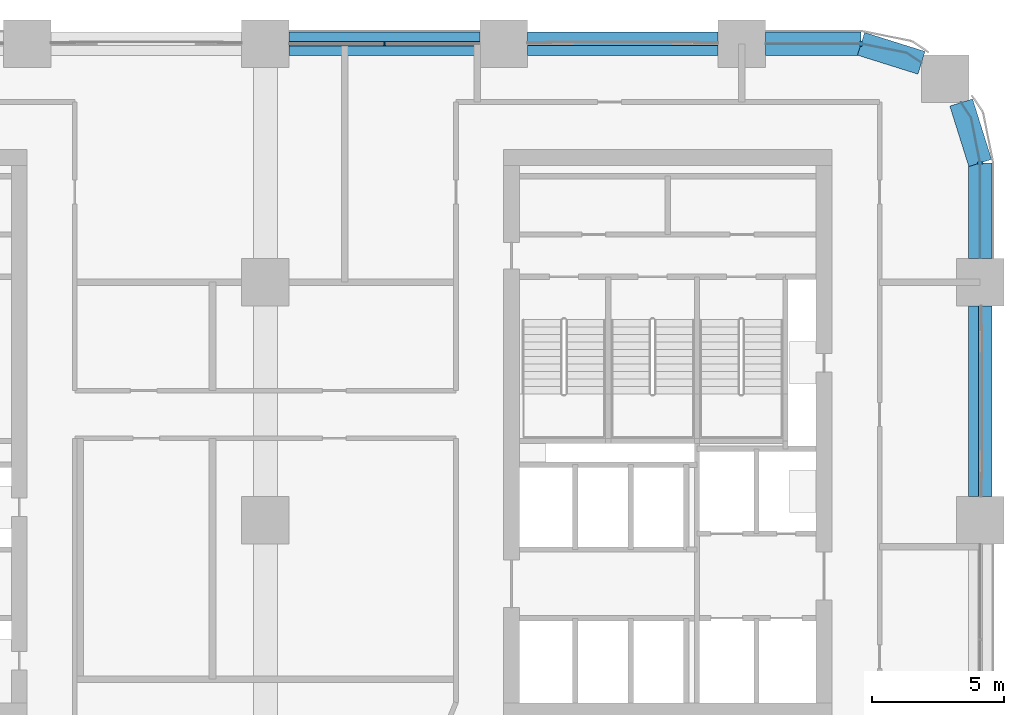
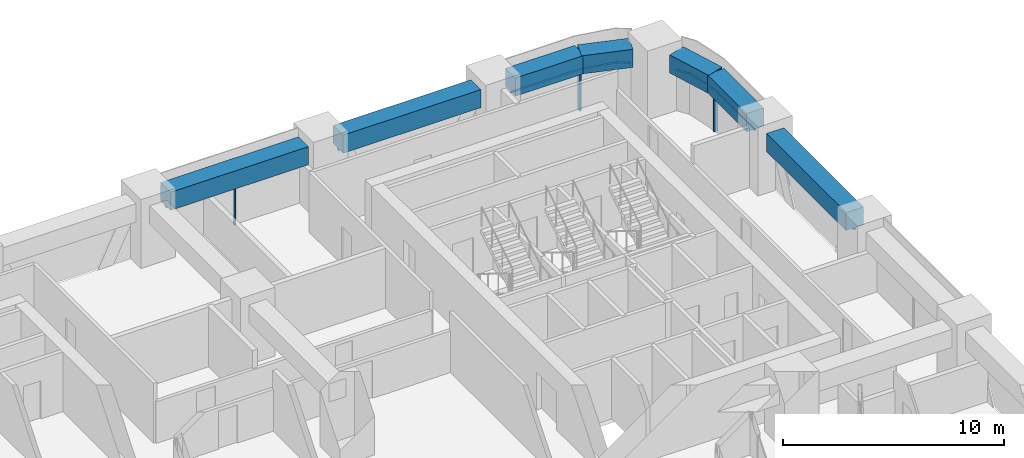
# One storey, part 9 of 20: 8 members, 7 beams, 5 elements without a shape of their own.
"""IFC4 building model written with IfcOpenShell, lengths in metres."""

import ifcopenshell
import ifcopenshell.guid

model = None  # the IFC model being written
_history = None  # IfcOwnerHistory: only IFC2X3 demands one
_inside = {}  # id of a spatial element -> (the spatial element, [elements in it])
_under = {}  # id of a project, library or spatial element -> (it, [spatial elements below it])
_declared = {}  # id of a project -> (the project, [libraries it declares])
_typed = {}  # id of a type object -> (the type object, [elements of that type])
_made_of = {}  # id of a material, layer set ... -> (it, [elements and type objects made of it])


def new_model(schema):
    """Start an empty IFC model of exactly this schema.

    Asked for "IFC4X3", IfcOpenShell would pick the latest addendum, in which some entities
    have other attributes; the version numbers below select the first issue.
    IFC2X3 requires an IfcOwnerHistory on every rooted entity: one is made here for all.
    """
    global model, _history
    if schema == "IFC4X3":
        model = ifcopenshell.file(schema_version=(4, 3, 0, 0))
    else:
        model = ifcopenshell.file(schema=schema)
    _inside.clear()
    _under.clear()
    _declared.clear()
    _typed.clear()
    _made_of.clear()
    _history = None
    if model.schema == "IFC2X3":
        org = make("IfcOrganization", Name="unknown")
        user = make(
            "IfcPersonAndOrganization",
            ThePerson=make("IfcPerson", FamilyName="unknown"),
            TheOrganization=org,
        )
        app = make(
            "IfcApplication",
            ApplicationDeveloper=org,
            Version="unknown",
            ApplicationFullName="unknown",
            ApplicationIdentifier="unknown",
        )
        _history = make(
            "IfcOwnerHistory",
            OwningUser=user,
            OwningApplication=app,
            ChangeAction="ADDED",
            CreationDate=0,
        )
    return model


def make(cls, **values):
    """One entity of the class cls with the attributes given. An attribute that is None is left unset."""
    return model.create_entity(
        cls, **{name: value for name, value in values.items() if value is not None}
    )


def rooted(cls, **values):
    """An entity with a GlobalId (a new one), such as an element, a storey or a relation."""
    return make(cls, GlobalId=ifcopenshell.guid.new(), OwnerHistory=_history, **values)


def si_unit(unit_type, name, prefix=None):
    """IfcSIUnit, for example si_unit("LENGTHUNIT", "METRE", prefix="MILLI")."""
    return make("IfcSIUnit", UnitType=unit_type, Prefix=prefix, Name=name)


def assignment(units):
    """IfcUnitAssignment: the units of a project."""
    return None if units is None else make("IfcUnitAssignment", Units=units)


def point(xyz):
    """IfcCartesianPoint."""
    return None if xyz is None else make("IfcCartesianPoint", Coordinates=xyz)


def direction(xyz):
    """IfcDirection."""
    return None if xyz is None else make("IfcDirection", DirectionRatios=xyz)


def frame(location, z_axis=None, x_axis=None):
    """IfcAxis2Placement3D, a coordinate frame: its origin and axes. An axis left out is left unset."""
    return make(
        "IfcAxis2Placement3D",
        Location=point(location),
        Axis=direction(z_axis),
        RefDirection=direction(x_axis),
    )


def frame_2d(location, x_axis=None):
    """IfcAxis2Placement2D, a coordinate frame in the plane: its origin and x axis."""
    return make(
        "IfcAxis2Placement2D", Location=point(location), RefDirection=direction(x_axis)
    )


def origin():
    """The frame at (0, 0, 0) with its axes left unset."""
    return frame((0.0, 0.0, 0.0))


def origin_2d():
    """The frame at (0, 0) in the plane with its x axis left unset."""
    return frame_2d((0.0, 0.0))


def place(relative_to, where):
    """IfcLocalPlacement: puts the frame where relative to a parent placement (None: the world)."""
    return make(
        "IfcLocalPlacement", PlacementRelTo=relative_to, RelativePlacement=where
    )


def context(
    kind, dimensions, precision=None, world=None, true_north=None, identifier=None
):
    """IfcGeometricRepresentationContext, for example the 3D "Model" context."""
    return make(
        "IfcGeometricRepresentationContext",
        ContextIdentifier=identifier,
        ContextType=kind,
        CoordinateSpaceDimension=dimensions,
        Precision=precision,
        WorldCoordinateSystem=world,
        TrueNorth=true_north,
    )


def subcontext(parent, identifier, kind, view, scale=None):
    """IfcGeometricRepresentationSubContext, for example "Body" below "Model"."""
    return make(
        "IfcGeometricRepresentationSubContext",
        ContextIdentifier=identifier,
        ContextType=kind,
        ParentContext=parent,
        TargetScale=scale,
        TargetView=view,
    )


def project(units=None, contexts=None):
    """IfcProject with its units and contexts."""
    return rooted(
        "IfcProject",
        Name="project",
        RepresentationContexts=contexts,
        UnitsInContext=assignment(units),
    )


def spatial(cls, under=None, at=None, **own):
    """A site, building, storey or space (cls), placed at a placement, below another one or the project."""
    s = rooted(cls, ObjectPlacement=at, **own)
    if under is not None:
        _under.setdefault(under.id(), (under, []))[1].append(s)
    return s


def polyline(points):
    """IfcPolyline through the points."""
    return make("IfcPolyline", Points=[point(p) for p in points])


def profile(cls, at=None, kind="AREA", **sizes):
    """A parametric profile (cls). Its sizes go by their IFC names, for example OverallWidth=200.0."""
    return make(cls, ProfileType=kind, Position=at, **sizes)


def rectangle(**sizes):
    """IfcRectangleProfileDef."""
    return profile("IfcRectangleProfileDef", **sizes)


def outline(outer, holes=None, kind="AREA"):
    """IfcArbitraryClosedProfileDef: a profile drawn as a closed curve; with holes, ...WithVoids."""
    if holes is None:
        return make("IfcArbitraryClosedProfileDef", ProfileType=kind, OuterCurve=outer)
    return make(
        "IfcArbitraryProfileDefWithVoids",
        ProfileType=kind,
        OuterCurve=outer,
        InnerCurves=holes,
    )


def extrude(swept, where, along, depth):
    """IfcExtrudedAreaSolid: the profile swept, set in the frame where, extruded along a direction by depth."""
    return make(
        "IfcExtrudedAreaSolid",
        SweptArea=swept,
        Position=where,
        ExtrudedDirection=direction(along),
        Depth=depth,
    )


def shape(context_of_items, identifier, shape_type, items):
    """IfcShapeRepresentation: the items that make up one representation, for example the "Body"."""
    return make(
        "IfcShapeRepresentation",
        ContextOfItems=context_of_items,
        RepresentationIdentifier=identifier,
        RepresentationType=shape_type,
        Items=items,
    )


def material(Name=None, Category=None):
    """IfcMaterial."""
    return make("IfcMaterial", Name=Name, Category=Category)


def material_profile(
    of_material, cross_section, Name=None, Category=None, Priority=None
):
    """IfcMaterialProfile: a cross section and its material."""
    return make(
        "IfcMaterialProfile",
        Name=Name,
        Material=of_material,
        Profile=cross_section,
        Priority=Priority,
        Category=Category,
    )


def profile_set(profiles, Name=None, composite=None):
    """IfcMaterialProfileSet."""
    return make(
        "IfcMaterialProfileSet",
        Name=Name,
        MaterialProfiles=profiles,
        CompositeProfile=composite,
    )


def made_of(thing, what):
    """Note that an element or type object is made of a material, layer set ...; save() writes the relation."""
    if what is not None:
        _made_of.setdefault(what.id(), (what, []))[1].append(thing)
    return thing


def type_object(cls, material=None, **own):
    """A type object (cls), such as IfcWallType, which elements share."""
    return made_of(rooted(cls, **own), material)


def element(
    cls,
    number,
    at=None,
    inside=None,
    cuts=None,
    type_object=None,
    material=None,
    context=None,
    identifier="Body",
    shape_type=None,
    held_by="IfcProductDefinitionShape",
    body=None,
    shapes=None,
    **own,
):
    """One element of the class cls, such as IfcWall. Its Tag is "e" and its number.

    at: its placement. inside: the storey or other place that contains it. cuts: it is an
    opening in that element (IfcRelVoidsElement). A single representation is given by context,
    identifier, shape_type and body (its items); several are given by shapes. held_by: the class
    of the entity that holds the representations. save() writes the other relations.
    """
    e = rooted(cls, Tag="e%d" % number, ObjectPlacement=at, **own)
    if body is not None:
        shapes = [shape(context, identifier, shape_type, body)]
    if shapes is not None:
        e.Representation = make(held_by, Representations=shapes)
    if inside is not None:
        _inside.setdefault(inside.id(), (inside, []))[1].append(e)
    if cuts is not None:
        rooted(
            "IfcRelVoidsElement", RelatingBuildingElement=cuts, RelatedOpeningElement=e
        )
    if type_object is not None:
        _typed.setdefault(type_object.id(), (type_object, []))[1].append(e)
    return made_of(e, material)


def aggregate(whole, parts):
    """IfcRelAggregates: a whole, such as a stair, and the parts it consists of."""
    return rooted("IfcRelAggregates", RelatingObject=whole, RelatedObjects=parts)


def save(model, path):
    """Write the relations noted so far, then the file.

    IfcRelAggregates (storeys below a building ...), IfcRelContainedInSpatialStructure (elements
    in a storey), IfcRelDefinesByType, IfcRelAssociatesMaterial and IfcRelDeclares: one each for
    every whole, place, type object, material and project.
    """
    for whole, parts in _under.values():
        aggregate(whole, parts)
    for where, things in _inside.values():
        rooted(
            "IfcRelContainedInSpatialStructure",
            RelatedElements=things,
            RelatingStructure=where,
        )
    for kind, things in _typed.values():
        rooted("IfcRelDefinesByType", RelatedObjects=things, RelatingType=kind)
    for what, things in _made_of.values():
        rooted("IfcRelAssociatesMaterial", RelatedObjects=things, RelatingMaterial=what)
    for by, libraries in _declared.values():
        rooted("IfcRelDeclares", RelatingContext=by, RelatedDefinitions=libraries)
    model.write(path)


model = new_model("IFC4")

# Units and contexts
model_context = context("Model", 3, precision=1e-05, world=origin(), true_north=direction((0.0, 1.0)))
body_context = subcontext(model_context, "Body", "Model", "MODEL_VIEW")
ifc_project = project(units=[si_unit("LENGTHUNIT", "METRE"), si_unit("AREAUNIT", "SQUARE_METRE"), si_unit("VOLUMEUNIT", "CUBIC_METRE"), si_unit("PLANEANGLEUNIT", "RADIAN"), si_unit("MASSUNIT", "GRAM", prefix="KILO")], contexts=[model_context])

# Site, building, storey
site_placement = place(None, origin())
site = spatial("IfcSite", under=ifc_project, at=site_placement, CompositionType="ELEMENT")
building_placement = place(site_placement, origin())
building = spatial("IfcBuilding", under=site, at=building_placement, Name="Tessera Arch", CompositionType="ELEMENT")
storey_placement = place(building_placement, frame((0.0, 0.0, 119.60009765625)))
storey = spatial("IfcBuildingStorey", under=building, at=storey_placement, Name="L28", CompositionType="ELEMENT", Elevation=119.60009765625)

# Curtain wall, members
ifc_material_1 = material(Name="CW1 curtain wall")
curtain_wall_type_1 = type_object("IfcCurtainWallType", Name="CW1 curtain wall", PredefinedType="NOTDEFINED", material=ifc_material_1)
curtain_wall_1_placement = place(storey_placement, origin())
curtain_wall_1 = element("IfcCurtainWall", 1, at=curtain_wall_1_placement, inside=storey, type_object=curtain_wall_type_1, Name="CW1 curtain wall N54.0/1 L28", PredefinedType="NOTDEFINED")
ifc_material_2 = material(Name="Anodised aluminium pale metal", Category="aluminium")
ifc_material_profile_1 = material_profile(ifc_material_2, rectangle(XDim=0.159912109375, YDim=0.06005859375, at=origin_2d()), Name="AL 60x160")
ifc_profile_set_1 = profile_set([ifc_material_profile_1], Name="Anodised aluminium pale metal")
member_type_1 = type_object("IfcMemberType", Name="CW1 mullion", PredefinedType="MULLION", material=ifc_profile_set_1)
member_1_placement = place(storey_placement, frame((31.5, 54.0, 0.0), z_axis=(0.0, 0.0, 1.0), x_axis=(0.0, -1.0, 0.0)))
member_1 = element("IfcMember", 2, at=member_1_placement, type_object=member_type_1, Name="CW1 mullion N54.0/1 1", PredefinedType="MULLION", context=body_context, shape_type="SweptSolid", body=[
    extrude(rectangle(XDim=0.159912109375, YDim=0.06005859375, at=origin_2d()), origin(), (0.0, 0.0, 1.0), 2.199951171875),
])
ifc_material_3 = material(Name="Anodised aluminium pale metal", Category="aluminium")
ifc_material_profile_2 = material_profile(ifc_material_3, rectangle(XDim=0.159912109375, YDim=0.10009765625, at=origin_2d()), Name="AL 160x100")
ifc_profile_set_2 = profile_set([ifc_material_profile_2], Name="Anodised aluminium pale metal")
member_type_2 = type_object("IfcMemberType", Name="CW1 transom", PredefinedType="USERDEFINED", material=ifc_profile_set_2)
member_2_placement = place(storey_placement, frame((35.10009765625, 54.0, 2.25), z_axis=(-1.0, 0.0, 0.0), x_axis=(0.0, -1.0, 0.0)))
member_2 = element("IfcMember", 3, at=member_2_placement, type_object=member_type_2, Name="CW1 transom N54.0/1 1.1", ObjectType="TRANSOM", PredefinedType="USERDEFINED", context=body_context, shape_type="SweptSolid", body=[
    extrude(rectangle(XDim=0.159912109375, YDim=0.10009765625, at=origin_2d()), origin(), (0.0, 0.0, 1.0), 7.2001953125),
])
aggregate(curtain_wall_1, [member_1, member_2])

# Curtain wall, member
ifc_material_4 = material(Name="CW2 curtain wall")
curtain_wall_type_2 = type_object("IfcCurtainWallType", Name="CW2 curtain wall", PredefinedType="NOTDEFINED", material=ifc_material_4)
curtain_wall_2_placement = place(storey_placement, origin())
curtain_wall_2 = element("IfcCurtainWall", 4, at=curtain_wall_2_placement, inside=storey, type_object=curtain_wall_type_2, Name="CW2 curtain wall E54.0/5 L28", PredefinedType="NOTDEFINED")
ifc_material_5 = material(Name="Anodised aluminium pale metal", Category="aluminium")
ifc_material_profile_3 = material_profile(ifc_material_5, rectangle(XDim=0.199951171875, YDim=0.080078125, at=origin_2d()), Name="AL 80x200")
ifc_profile_set_3 = profile_set([ifc_material_profile_3], Name="Anodised aluminium pale metal")
member_type_3 = type_object("IfcMemberType", Name="CW2 mullion", PredefinedType="MULLION", material=ifc_profile_set_3)
member_3_placement = place(storey_placement, frame((54.0, 49.5, 0.0), z_axis=(0.0, 0.0, 1.0), x_axis=(-1.0, 0.0, 0.0)))
member_3 = element("IfcMember", 5, at=member_3_placement, type_object=member_type_3, Name="CW2 mullion E54.0/5 1", PredefinedType="MULLION", context=body_context, shape_type="SweptSolid", body=[
    extrude(rectangle(XDim=0.199951171875, YDim=0.080078125, at=origin_2d()), origin(), (0.0, 0.0, 1.0), 2.199951171875),
])

curtain_wall_3_placement = place(storey_placement, origin())
curtain_wall_3 = element("IfcCurtainWall", 6, at=curtain_wall_3_placement, inside=storey, type_object=curtain_wall_type_2, Name="CW2 curtain wall N54.0/5 L28", PredefinedType="NOTDEFINED")
member_4_placement = place(storey_placement, frame((49.5, 54.0, 0.0), z_axis=(0.0, 0.0, 1.0), x_axis=(0.0, -1.0, 0.0)))
member_4 = element("IfcMember", 7, at=member_4_placement, type_object=member_type_3, Name="CW2 mullion N54.0/5 1", PredefinedType="MULLION", context=body_context, shape_type="SweptSolid", body=[
    extrude(rectangle(XDim=0.199951171875, YDim=0.080078125, at=origin_2d()), origin(), (0.0, 0.0, 1.0), 2.199951171875),
])

# Member
ifc_material_6 = material(Name="Anodised aluminium pale metal", Category="aluminium")
ifc_material_profile_4 = material_profile(ifc_material_6, rectangle(XDim=0.199951171875, YDim=0.10009765625, at=origin_2d()), Name="AL 200x100")
ifc_profile_set_4 = profile_set([ifc_material_profile_4], Name="Anodised aluminium pale metal")
member_type_4 = type_object("IfcMemberType", Name="CW2 transom", PredefinedType="USERDEFINED", material=ifc_profile_set_4)
member_5_placement = place(storey_placement, frame((0.0, 0.0, 2.199951171875)))
member_5 = element("IfcMember", 8, at=member_5_placement, type_object=member_type_4, Name="CW2 transom E54.0/5 1", ObjectType="TRANSOM", PredefinedType="USERDEFINED", context=body_context, shape_type="SweptSolid", body=[
    extrude(outline(polyline([(53.989990234375, 49.4990234375), (53.989990234375, 45.89990234375), (54.010009765625, 45.89990234375), (54.010009765625, 49.5009765625), (53.6669921875, 51.22607421875), (53.29150390625, 51.78759765625), (53.27490234375, 51.7763671875), (53.648193359375, 51.21826171875), (53.989990234375, 49.4990234375)])), origin(), (0.0, 0.0, 1.0), 0.099853515625),
])

aggregate(curtain_wall_2, [member_3, member_5])

member_6_placement = place(storey_placement, frame((0.0, 0.0, 2.199951171875)))
member_6 = element("IfcMember", 9, at=member_6_placement, type_object=member_type_4, Name="CW2 transom N54.0/5 1", ObjectType="TRANSOM", PredefinedType="USERDEFINED", context=body_context, shape_type="SweptSolid", body=[
    extrude(outline(polyline([(51.21826171875, 53.648193359375), (51.7763671875, 53.27490234375), (51.78759765625, 53.29150390625), (51.22607421875, 53.6669921875), (49.5009765625, 54.010009765625), (45.89990234375, 54.010009765625), (45.89990234375, 53.989990234375), (49.4990234375, 53.989990234375), (51.21826171875, 53.648193359375)])), origin(), (0.0, 0.0, 1.0), 0.099853515625),
])

aggregate(curtain_wall_3, [member_4, member_6])

# Curtain wall, member
ifc_material_7 = material(Name="CW3 curtain wall")
curtain_wall_type_3 = type_object("IfcCurtainWallType", Name="CW3 curtain wall", PredefinedType="NOTDEFINED", material=ifc_material_7)
curtain_wall_4_placement = place(storey_placement, origin())
curtain_wall_4 = element("IfcCurtainWall", 10, at=curtain_wall_4_placement, inside=storey, type_object=curtain_wall_type_3, Name="CW3 curtain wall N54.0/0 L28", PredefinedType="NOTDEFINED")
ifc_material_8 = material(Name="Anodised aluminium pale metal", Category="aluminium")
ifc_material_profile_5 = material_profile(ifc_material_8, rectangle(XDim=0.139892578125, YDim=0.10009765625, at=origin_2d()), Name="AL 140x100")
ifc_profile_set_5 = profile_set([ifc_material_profile_5], Name="Anodised aluminium pale metal")
member_type_5 = type_object("IfcMemberType", Name="CW3 transom", PredefinedType="USERDEFINED", material=ifc_profile_set_5)
member_7_placement = place(storey_placement, frame((44.10009765625, 54.0, 2.25), z_axis=(-1.0, 0.0, 0.0), x_axis=(0.0, -1.0, 0.0)))
member_7 = element("IfcMember", 11, at=member_7_placement, type_object=member_type_5, Name="CW3 transom N54.0/0 1.1", ObjectType="TRANSOM", PredefinedType="USERDEFINED", context=body_context, shape_type="SweptSolid", body=[
    extrude(rectangle(XDim=0.139892578125, YDim=0.10009765625, at=origin_2d()), origin(), (0.0, 0.0, 1.0), 7.2001953125),
])
aggregate(curtain_wall_4, [member_7])

curtain_wall_5_placement = place(storey_placement, origin())
curtain_wall_5 = element("IfcCurtainWall", 12, at=curtain_wall_5_placement, inside=storey, type_object=curtain_wall_type_3, Name="CW3 curtain wall E54.0/4 L28", PredefinedType="NOTDEFINED")
member_8_placement = place(storey_placement, frame((54.0, 36.89990234375, 2.25), z_axis=(0.0, 1.0, 0.0), x_axis=(-1.0, 0.0, 0.0)))
member_8 = element("IfcMember", 13, at=member_8_placement, type_object=member_type_5, Name="CW3 transom E54.0/4 1.1", ObjectType="TRANSOM", PredefinedType="USERDEFINED", context=body_context, shape_type="SweptSolid", body=[
    extrude(rectangle(XDim=0.139892578125, YDim=0.10009765625, at=origin_2d()), origin(), (0.0, 0.0, 1.0), 7.2001953125),
])
aggregate(curtain_wall_5, [member_8])

# Beams
ifc_material_9 = material(Name="Concrete C80/95", Category="concrete")
ifc_material_profile_6 = material_profile(ifc_material_9, rectangle(XDim=0.89990234375, YDim=1.0, at=origin_2d()), Name="RC spandrel beam 900 x 1000 Concrete C80/95")
ifc_profile_set_6 = profile_set([ifc_material_profile_6], Name="Concrete C80/95")
beam_type = type_object("IfcBeamType", Name="RC spandrel beam 900 x 1000 Concrete C80/95", PredefinedType="BEAM", material=ifc_profile_set_6)
for number, where, z_axis, x_axis, name in (
    (14, (44.10009765625, 54.0, 2.7998046875), (-1.0, 0.0, 0.0), (0.0, -1.0, 0.0), "Spandrel beam L28 N54.0/0"),
    (15, (35.10009765625, 54.0, 2.7998046875), (-1.0, 0.0, 0.0), (0.0, -1.0, 0.0), "Spandrel beam L28 N54.0/1"),
    (16, (54.0, 36.89990234375, 2.7998046875), (0.0, 1.0, 0.0), (-1.0, 0.0, 0.0), "Spandrel beam L28 E54.0/4"),
):
    element("IfcBeam", number, at=place(storey_placement, frame(where, z_axis=z_axis, x_axis=x_axis)), inside=storey, type_object=beam_type, Name=name, PredefinedType="BEAM", context=body_context, shape_type="SweptSolid", body=[
        extrude(rectangle(XDim=0.89990234375, YDim=1.0, at=origin_2d()), origin(), (0.0, 0.0, 1.0), 7.2001953125),
    ])
beam_1_placement = place(storey_placement, frame((54.0, 45.89990234375, 2.7998046875), z_axis=(0.0, 1.0, 0.0), x_axis=(-1.0, 0.0, 0.0)))
element("IfcBeam", 17, at=beam_1_placement, inside=storey, type_object=beam_type, Name="Spandrel beam L28 E54.0/5.1", PredefinedType="BEAM", context=body_context, shape_type="SweptSolid", body=[
    extrude(rectangle(XDim=0.89990234375, YDim=1.0, at=origin_2d()), origin(), (0.0, 0.0, 1.0), 3.60009765625),
])
for number, where, z_axis, x_axis, name in (
    (18, (54.0, 49.5, 2.7998046875), (-0.299675309057, 0.954041251279, 0.0), (-0.954041251279, -0.299675309057, 0.0), "Spandrel beam L28 E54.0/5.2"),
    (19, (51.781982421875, 53.283203125, 2.7998046875), (-0.954041251279, 0.299675309057, 0.0), (-0.299675309057, -0.954041251279, 0.0), "Spandrel beam L28 N54.0/5.1"),
):
    element("IfcBeam", number, at=place(storey_placement, frame(where, z_axis=z_axis, x_axis=x_axis)), inside=storey, type_object=beam_type, Name=name, PredefinedType="BEAM", context=body_context, shape_type="SweptSolid", body=[
        extrude(rectangle(XDim=0.89990234375, YDim=1.0, at=origin_2d()), origin(), (0.0, 0.0, 1.0), 2.391845703125),
    ])
beam_2_placement = place(storey_placement, frame((49.5, 54.0, 2.7998046875), z_axis=(-1.0, 0.0, 0.0), x_axis=(0.0, -1.0, 0.0)))
element("IfcBeam", 20, at=beam_2_placement, inside=storey, type_object=beam_type, Name="Spandrel beam L28 N54.0/5.2", PredefinedType="BEAM", context=body_context, shape_type="SweptSolid", body=[
    extrude(rectangle(XDim=0.89990234375, YDim=1.0, at=origin_2d()), origin(), (0.0, 0.0, 1.0), 3.60009765625),
])

save(model, "model.ifc")
